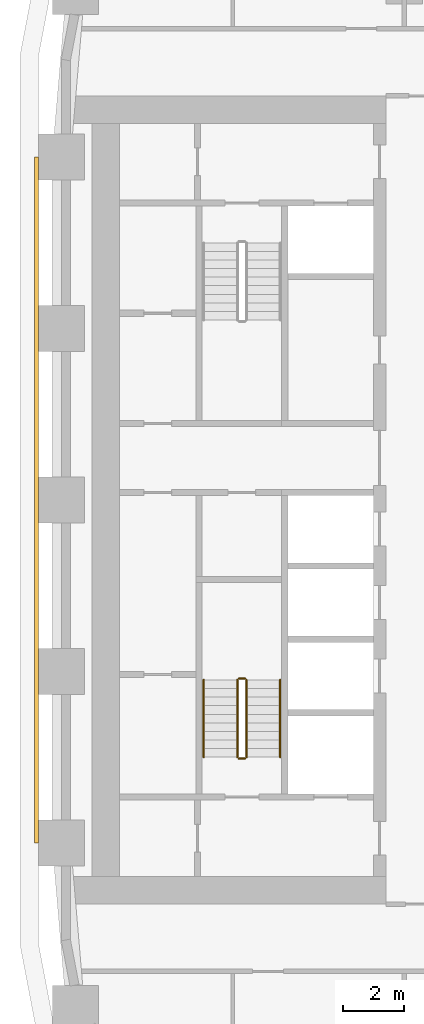
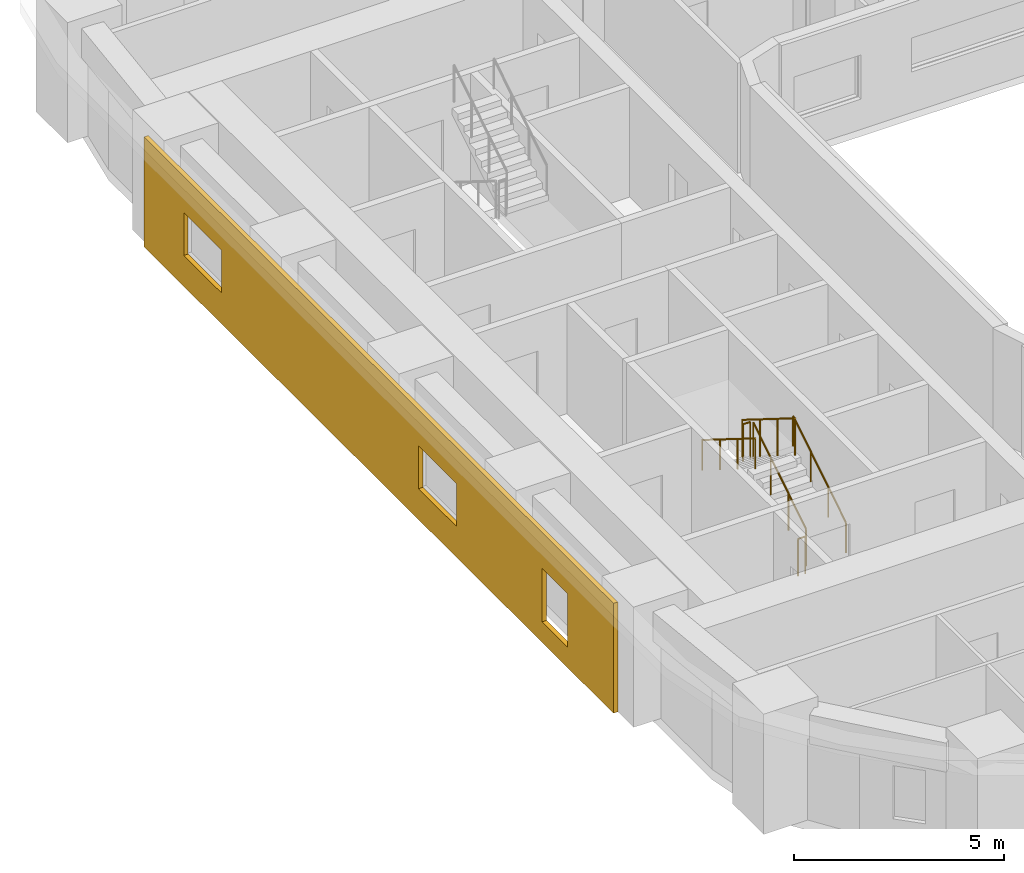
# One storey, part 12 of 21: 6 railings, 1 covering.
"""IFC4 building model written with IfcOpenShell, lengths in metres."""

from ifc_helpers import new_model, si_unit, direction, frame, origin, origin_2d, place, context, subcontext, project, spatial, polyline, circle, outline, extrude, material, layer, layer_set, type_object, element, save


model = new_model("IFC4")

# Units and contexts
model_context = context("Model", 3, precision=1e-05, world=origin(), true_north=direction((0.0, 1.0)))
body_context = subcontext(model_context, "Body", "Model", "MODEL_VIEW")
ifc_project = project(units=[si_unit("LENGTHUNIT", "METRE"), si_unit("AREAUNIT", "SQUARE_METRE"), si_unit("VOLUMEUNIT", "CUBIC_METRE"), si_unit("PLANEANGLEUNIT", "RADIAN"), si_unit("MASSUNIT", "GRAM", prefix="KILO")], contexts=[model_context])

# Site, building, storey
site_placement = place(None, origin())
site = spatial("IfcSite", under=ifc_project, at=site_placement, CompositionType="ELEMENT")
building_placement = place(site_placement, origin())
building = spatial("IfcBuilding", under=site, at=building_placement, Name="Kiln Ring Residences", CompositionType="ELEMENT")
storey_placement = place(building_placement, frame((0.0, 0.0, 51.5)))
storey = spatial("IfcBuildingStorey", under=building, at=storey_placement, Name="L12", CompositionType="ELEMENT", Elevation=51.5)

# Railings
ifc_material_1 = material(Name="Stainless steel", Category="steel")
railing_type_1 = type_object("IfcRailingType", Name="CORE-STAIR-GUARD", PredefinedType="GUARDRAIL", material=ifc_material_1)
railing_1_placement = place(storey_placement, frame((-21.949951171875, -8.39990234375, 0.175048828125)))
element("IfcRailing", 1, at=railing_1_placement, inside=storey, type_object=railing_type_1, Name="L12 W-STS stair guard 1", PredefinedType="GUARDRAIL", context=body_context, shape_type="SweptSolid", body=[
    extrude(circle(Radius=0.02392578125, at=origin_2d()), frame((0.0, 0.0, 1.076171875), z_axis=(0.0, 0.848007534815, 0.529984170421), x_axis=(-1.0, 0.0, 0.0)), (0.0, 0.0, 1.0), 2.9716796875),
    extrude(circle(Radius=0.02099609375, at=origin_2d()), origin(), (0.0, 0.0, 1.0), 1.052001953125),
    extrude(circle(Radius=0.02099609375, at=origin_2d()), frame((0.0, 0.840087890625, 0.52490234375)), (0.0, 0.0, 1.0), 1.052001953125),
    extrude(circle(Radius=0.02099609375, at=origin_2d()), frame((0.0, 1.679931640625, 1.050048828125)), (0.0, 0.0, 1.0), 1.052001953125),
    extrude(circle(Radius=0.02099609375, at=origin_2d()), frame((0.0, 2.52001953125, 1.574951171875)), (0.0, 0.0, 1.0), 1.052001953125),
])
railing_2_placement = place(storey_placement, frame((-22.0, -5.830078125, 1.75)))
element("IfcRailing", 2, at=railing_2_placement, inside=storey, type_object=railing_type_1, Name="L12 W-STS stair guard 2", PredefinedType="GUARDRAIL", context=body_context, shape_type="SweptSolid", body=[
    extrude(circle(Radius=0.02392578125, at=origin_2d()), frame((0.0, 0.0, 1.076171875), z_axis=(-1.0, 0.0, 0.0), x_axis=(0.0, -1.0, 0.0)), (0.0, 0.0, 1.0), 0.199951171875),
    extrude(circle(Radius=0.02099609375, at=origin_2d()), origin(), (0.0, 0.0, 1.0), 1.052001953125),
    extrude(circle(Radius=0.02099609375, at=origin_2d()), frame((-0.199951171875, 0.0, 0.0)), (0.0, 0.0, 1.0), 1.052001953125),
])
railing_3_placement = place(storey_placement, frame((-22.25, -5.8798828125, 1.925048828125)))
element("IfcRailing", 3, at=railing_3_placement, inside=storey, type_object=railing_type_1, Name="L12 W-STS stair guard 3", PredefinedType="GUARDRAIL", context=body_context, shape_type="SweptSolid", body=[
    extrude(circle(Radius=0.02392578125, at=origin_2d()), frame((0.0, 0.0, 1.076171875), z_axis=(0.0, -0.848007534815, 0.529984170421), x_axis=(1.0, 0.0, 0.0)), (0.0, 0.0, 1.0), 2.9716796875),
    extrude(circle(Radius=0.02099609375, at=origin_2d()), origin(), (0.0, 0.0, 1.0), 1.052001953125),
    extrude(circle(Radius=0.02099609375, at=origin_2d()), frame((0.0, -0.840087890625, 0.52490234375)), (0.0, 0.0, 1.0), 1.052001953125),
    extrude(circle(Radius=0.02099609375, at=origin_2d()), frame((0.0, -1.679931640625, 1.050048828125)), (0.0, 0.0, 1.0), 1.052001953125),
    extrude(circle(Radius=0.02099609375, at=origin_2d()), frame((0.0, -2.52001953125, 1.574951171875)), (0.0, 0.0, 1.0), 1.052001953125),
])
railing_4_placement = place(storey_placement, frame((-22.0, -8.449951171875, 0.0)))
element("IfcRailing", 4, at=railing_4_placement, inside=storey, type_object=railing_type_1, Name="L12 W-STS stair guard 4", PredefinedType="GUARDRAIL", context=body_context, shape_type="SweptSolid", body=[
    extrude(circle(Radius=0.02392578125, at=origin_2d()), frame((0.0, 0.0, 1.076171875), z_axis=(-1.0, 0.0, 0.0), x_axis=(0.0, -1.0, 0.0)), (0.0, 0.0, 1.0), 0.199951171875),
    extrude(circle(Radius=0.02099609375, at=origin_2d()), origin(), (0.0, 0.0, 1.0), 1.052001953125),
    extrude(circle(Radius=0.02099609375, at=origin_2d()), frame((-0.199951171875, 0.0, 0.0)), (0.0, 0.0, 1.0), 1.052001953125),
])
ifc_material_2 = material(Name="Stainless steel", Category="steel")
railing_type_2 = type_object("IfcRailingType", Name="CORE-STAIR-HANDRAIL", PredefinedType="HANDRAIL", material=ifc_material_2)
railing_5_placement = place(storey_placement, frame((-20.85009765625, -8.39990234375, 0.175048828125)))
element("IfcRailing", 5, at=railing_5_placement, inside=storey, type_object=railing_type_2, Name="L12 W-STS stair handrail 1", PredefinedType="HANDRAIL", context=body_context, shape_type="SweptSolid", body=[
    extrude(circle(Radius=0.02392578125, at=origin_2d()), frame((0.0, 0.0, 0.8759765625), z_axis=(0.0, 0.848007534815, 0.529984170421), x_axis=(-1.0, 0.0, 0.0)), (0.0, 0.0, 1.0), 2.9716796875),
    extrude(circle(Radius=0.02099609375, at=origin_2d()), origin(), (0.0, 0.0, 1.0), 0.851806640625),
    extrude(circle(Radius=0.02099609375, at=origin_2d()), frame((0.0, 0.840087890625, 0.52490234375)), (0.0, 0.0, 1.0), 0.851806640625),
    extrude(circle(Radius=0.02099609375, at=origin_2d()), frame((0.0, 1.679931640625, 1.050048828125)), (0.0, 0.0, 1.0), 0.851806640625),
    extrude(circle(Radius=0.02099609375, at=origin_2d()), frame((0.0, 2.52001953125, 1.574951171875)), (0.0, 0.0, 1.0), 0.851806640625),
])
railing_6_placement = place(storey_placement, frame((-23.35009765625, -5.8798828125, 1.925048828125)))
element("IfcRailing", 6, at=railing_6_placement, inside=storey, type_object=railing_type_2, Name="L12 W-STS stair handrail 2", PredefinedType="HANDRAIL", context=body_context, shape_type="SweptSolid", body=[
    extrude(circle(Radius=0.02392578125, at=origin_2d()), frame((0.0, 0.0, 0.8759765625), z_axis=(0.0, -0.848007534815, 0.529984170421), x_axis=(1.0, 0.0, 0.0)), (0.0, 0.0, 1.0), 2.9716796875),
    extrude(circle(Radius=0.02099609375, at=origin_2d()), origin(), (0.0, 0.0, 1.0), 0.851806640625),
    extrude(circle(Radius=0.02099609375, at=origin_2d()), frame((0.0, -0.840087890625, 0.52490234375)), (0.0, 0.0, 1.0), 0.851806640625),
    extrude(circle(Radius=0.02099609375, at=origin_2d()), frame((0.0, -1.679931640625, 1.050048828125)), (0.0, 0.0, 1.0), 0.851806640625),
    extrude(circle(Radius=0.02099609375, at=origin_2d()), frame((0.0, -2.52001953125, 1.574951171875)), (0.0, 0.0, 1.0), 0.851806640625),
])

# Covering
ifc_material_3 = material(Name="Brick masonry, dark clay brick", Category="masonry")
ifc_layer = layer(ifc_material_3, 0.1201171875)
ifc_layer_set = layer_set([ifc_layer], Name="RAINSCREEN PANEL 120")
covering_type = type_object("IfcCoveringType", Name="RAINSCREEN PANEL 120", PredefinedType="CLADDING", material=ifc_layer_set)
covering_placement = place(storey_placement, frame((-28.81005859375, 11.199951171875, 0.0), z_axis=(0.0, 0.0, 1.0), x_axis=(0.0, -1.0, 0.0)))
element("IfcCovering", 7, at=covering_placement, inside=storey, type_object=covering_type, Name="RAINSCREEN L12", PredefinedType="CLADDING", context=body_context, shape_type="SweptSolid", body=[
    extrude(outline(polyline([(0.0, 0.0), (22.39990234375, 0.0), (22.39990234375, 3.199951171875), (0.0, 3.199951171875), (0.0, 0.0)]), holes=[polyline([(20.199951171875, 2.14990234375), (19.0, 2.14990234375), (19.0, 0.60009765625), (20.199951171875, 0.60009765625), (20.199951171875, 2.14990234375)]), polyline([(3.699951171875, 0.89990234375), (3.699951171875, 2.14990234375), (1.89990234375, 2.14990234375), (1.89990234375, 0.89990234375), (3.699951171875, 0.89990234375)]), polyline([(14.89990234375, 0.89990234375), (14.89990234375, 2.14990234375), (13.10009765625, 2.14990234375), (13.10009765625, 0.89990234375), (14.89990234375, 0.89990234375)])]), frame((0.0, 0.06005859375, 0.0), z_axis=(0.0, -1.0, 0.0), x_axis=(1.0, 0.0, 0.0)), (0.0, 0.0, 1.0), 0.1201171875),
])

save(model, "model.ifc")
